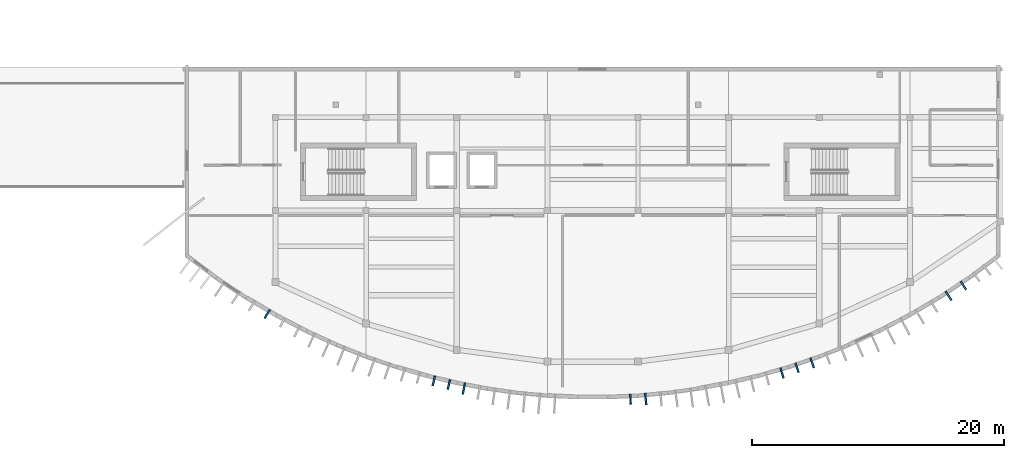
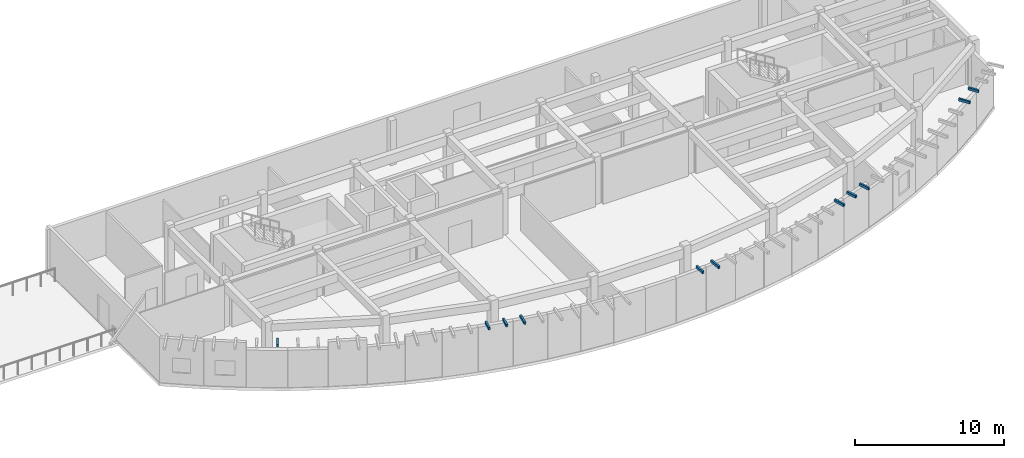
# One storey, part 28 of 32: 11 discrete accessories.
"""IFC4 building model written with IfcOpenShell, lengths in metres."""

from ifc_helpers import new_model, si_unit, direction, frame, origin, origin_2d, place, context, subcontext, project, spatial, rectangle, extrude, material, type_object, element, save


model = new_model("IFC4")

# Units and contexts
model_context = context("Model", 3, precision=1e-05, world=origin(), true_north=direction((0.0, 1.0)))
body_context = subcontext(model_context, "Body", "Model", "MODEL_VIEW")
ifc_project = project(units=[si_unit("LENGTHUNIT", "METRE"), si_unit("AREAUNIT", "SQUARE_METRE"), si_unit("VOLUMEUNIT", "CUBIC_METRE"), si_unit("PLANEANGLEUNIT", "RADIAN"), si_unit("MASSUNIT", "GRAM", prefix="KILO")], contexts=[model_context])

# Site, building, storey
site_placement = place(None, origin())
site = spatial("IfcSite", under=ifc_project, at=site_placement, CompositionType="ELEMENT")
building_placement = place(site_placement, origin())
building = spatial("IfcBuilding", under=site, at=building_placement, Name="Brisavento Harbour Community Centre", CompositionType="ELEMENT")
storey_placement = place(building_placement, frame((0.0, 0.0, 12.89990234375)))
storey = spatial("IfcBuildingStorey", under=building, at=storey_placement, Name="L03", CompositionType="ELEMENT", Elevation=12.89990234375)

# Discrete accessories
ifc_material = material(Name="Stainless steel 1.4401", Category="steel")
discrete_accessory_type = type_object("IfcDiscreteAccessoryType", Name="BRK-FIN-SS", PredefinedType="BRACKET", material=ifc_material)
discrete_accessory_1_placement = place(storey_placement, frame((114.552001953125, 6.786376953125, 3.68017578125), z_axis=(0.0, 0.0, 1.0), x_axis=(-0.507869167385, -0.861434216188, 0.0)))
element("IfcDiscreteAccessory", 1, at=discrete_accessory_1_placement, inside=storey, type_object=discrete_accessory_type, Name="Stainless-steel storm-fin bracket 099.5", PredefinedType="BRACKET", context=body_context, shape_type="SweptSolid", body=[
    extrude(rectangle(XDim=0.7890625, YDim=0.139892578125, at=origin_2d()), origin(), (0.0, 0.0, 1.0), 0.199951171875),
])
discrete_accessory_2_placement = place(storey_placement, frame((127.777587890625, 1.46630859375, 3.68017578125), z_axis=(0.0, 0.0, 1.0), x_axis=(-0.230830981037, -0.972993863389, 0.0)))
element("IfcDiscreteAccessory", 2, at=discrete_accessory_2_placement, inside=storey, type_object=discrete_accessory_type, Name="Stainless-steel storm-fin bracket 110.5", PredefinedType="BRACKET", context=body_context, shape_type="SweptSolid", body=[
    extrude(rectangle(XDim=0.79443359375, YDim=0.139892578125, at=origin_2d()), origin(), (0.0, 0.0, 1.0), 0.199951171875),
])
discrete_accessory_3_placement = place(storey_placement, frame((128.977294921875, 1.180908203125, 3.68017578125), z_axis=(0.0, 0.0, 1.0), x_axis=(-0.230830981037, -0.972993863389, 0.0)))
element("IfcDiscreteAccessory", 3, at=discrete_accessory_3_placement, inside=storey, type_object=discrete_accessory_type, Name="Stainless-steel storm-fin bracket 111.5", PredefinedType="BRACKET", context=body_context, shape_type="SweptSolid", body=[
    extrude(rectangle(XDim=0.796142578125, YDim=0.139892578125, at=origin_2d()), origin(), (0.0, 0.0, 1.0), 0.199951171875),
])
discrete_accessory_4_placement = place(storey_placement, frame((130.171142578125, 0.86767578125, 3.68017578125), z_axis=(0.0, 0.0, 1.0), x_axis=(-0.184671830369, -0.982800241691, 0.0)))
element("IfcDiscreteAccessory", 4, at=discrete_accessory_4_placement, inside=storey, type_object=discrete_accessory_type, Name="Stainless-steel storm-fin bracket 112.5", PredefinedType="BRACKET", context=body_context, shape_type="SweptSolid", body=[
    extrude(rectangle(XDim=0.91259765625, YDim=0.139892578125, at=origin_2d()), origin(), (0.0, 0.0, 1.0), 0.199951171875),
])
discrete_accessory_5_placement = place(storey_placement, frame((143.40478515625, -0.00341796875, 3.68017578125), z_axis=(0.0, 0.0, 1.0), x_axis=(0.0461649984, -0.9989338281, 0.0)))
element("IfcDiscreteAccessory", 5, at=discrete_accessory_5_placement, inside=storey, type_object=discrete_accessory_type, Name="Stainless-steel storm-fin bracket 119.5", PredefinedType="BRACKET", context=body_context, shape_type="SweptSolid", body=[
    extrude(rectangle(XDim=0.80126953125, YDim=0.139892578125, at=origin_2d()), origin(), (0.0, 0.0, 1.0), 0.199951171875),
])
discrete_accessory_6_placement = place(storey_placement, frame((144.614990234375, 0.019775390625, 3.68017578125), z_axis=(0.0, 0.0, 1.0), x_axis=(0.092335830041, -0.99572792192, 0.0)))
element("IfcDiscreteAccessory", 6, at=discrete_accessory_6_placement, inside=storey, type_object=discrete_accessory_type, Name="Stainless-steel storm-fin bracket 120.5", PredefinedType="BRACKET", context=body_context, shape_type="SweptSolid", body=[
    extrude(rectangle(XDim=0.92236328125, YDim=0.139892578125, at=origin_2d()), origin(), (0.0, 0.0, 1.0), 0.199951171875),
])
discrete_accessory_7_placement = place(storey_placement, frame((155.436279296875, 2.095947265625, 3.68017578125), z_axis=(0.0, 0.0, 1.0), x_axis=(0.276996031628, -0.96087106235, 0.0)))
element("IfcDiscreteAccessory", 7, at=discrete_accessory_7_placement, inside=storey, type_object=discrete_accessory_type, Name="Stainless-steel storm-fin bracket 129.5", PredefinedType="BRACKET", context=body_context, shape_type="SweptSolid", body=[
    extrude(rectangle(XDim=0.86279296875, YDim=0.139892578125, at=origin_2d()), origin(), (0.0, 0.0, 1.0), 0.199951171875),
])
discrete_accessory_8_placement = place(storey_placement, frame((156.62939453125, 2.51416015625, 3.68017578125), z_axis=(0.0, 0.0, 1.0), x_axis=(0.323174264667, -0.94633947115, 0.0)))
element("IfcDiscreteAccessory", 8, at=discrete_accessory_8_placement, inside=storey, type_object=discrete_accessory_type, Name="Stainless-steel storm-fin bracket 130.5", PredefinedType="BRACKET", context=body_context, shape_type="SweptSolid", body=[
    extrude(rectangle(XDim=0.781494140625, YDim=0.139892578125, at=origin_2d()), origin(), (0.0, 0.0, 1.0), 0.199951171875),
])
discrete_accessory_9_placement = place(storey_placement, frame((157.83642578125, 2.903076171875, 3.68017578125), z_axis=(0.0, 0.0, 1.0), x_axis=(0.323174264667, -0.94633947115, 0.0)))
element("IfcDiscreteAccessory", 9, at=discrete_accessory_9_placement, inside=storey, type_object=discrete_accessory_type, Name="Stainless-steel storm-fin bracket 131.5", PredefinedType="BRACKET", context=body_context, shape_type="SweptSolid", body=[
    extrude(rectangle(XDim=0.82568359375, YDim=0.139892578125, at=origin_2d()), origin(), (0.0, 0.0, 1.0), 0.199951171875),
])
discrete_accessory_10_placement = place(storey_placement, frame((168.667236328125, 8.2275390625, 3.68017578125), z_axis=(0.0, 0.0, 1.0), x_axis=(0.554060082852, -0.832476681109, 0.0)))
element("IfcDiscreteAccessory", 10, at=discrete_accessory_10_placement, inside=storey, type_object=discrete_accessory_type, Name="Stainless-steel storm-fin bracket 140.5", PredefinedType="BRACKET", context=body_context, shape_type="SweptSolid", body=[
    extrude(rectangle(XDim=0.842529296875, YDim=0.139892578125, at=origin_2d()), origin(), (0.0, 0.0, 1.0), 0.199951171875),
])
discrete_accessory_11_placement = place(storey_placement, frame((169.850341796875, 9.0517578125, 3.68017578125), z_axis=(0.0, 0.0, 1.0), x_axis=(0.554060082852, -0.832476681109, 0.0)))
element("IfcDiscreteAccessory", 11, at=discrete_accessory_11_placement, inside=storey, type_object=discrete_accessory_type, Name="Stainless-steel storm-fin bracket 141.5", PredefinedType="BRACKET", context=body_context, shape_type="SweptSolid", body=[
    extrude(rectangle(XDim=0.78125, YDim=0.139892578125, at=origin_2d()), origin(), (0.0, 0.0, 1.0), 0.199951171875),
])

save(model, "model.ifc")
